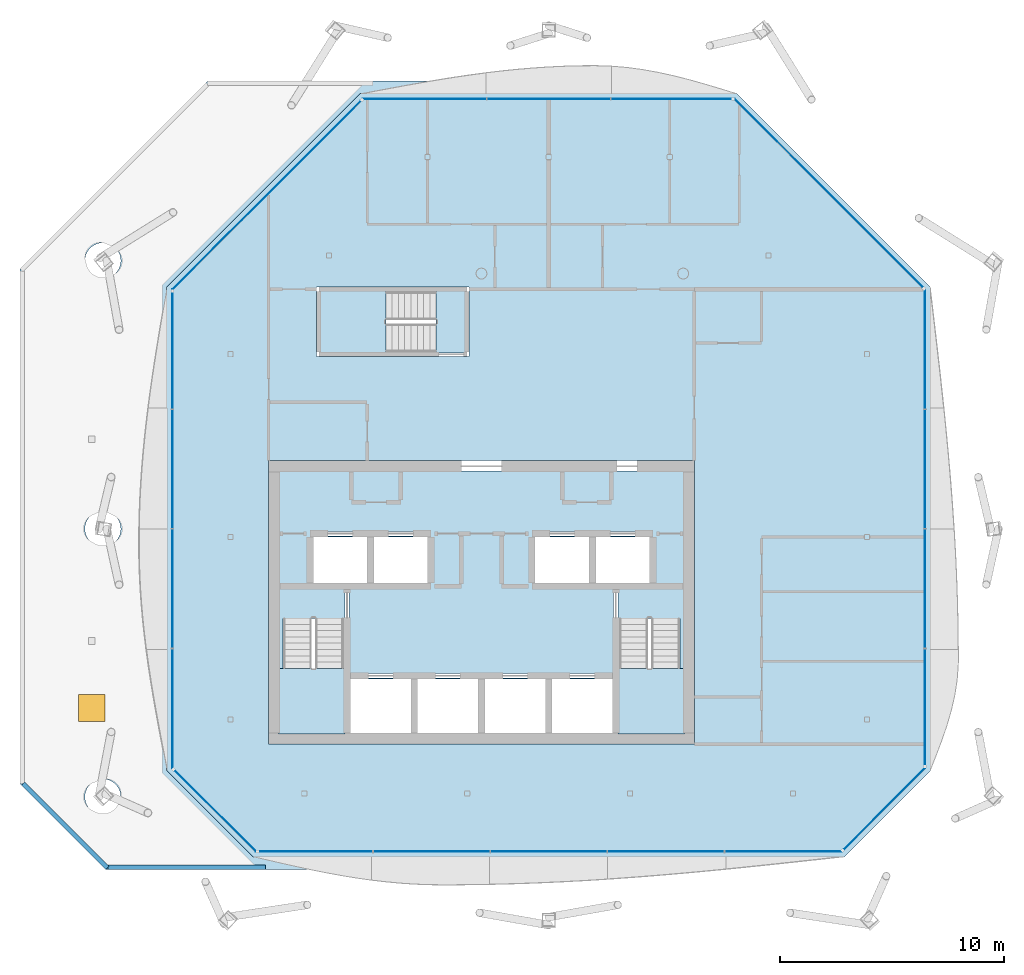
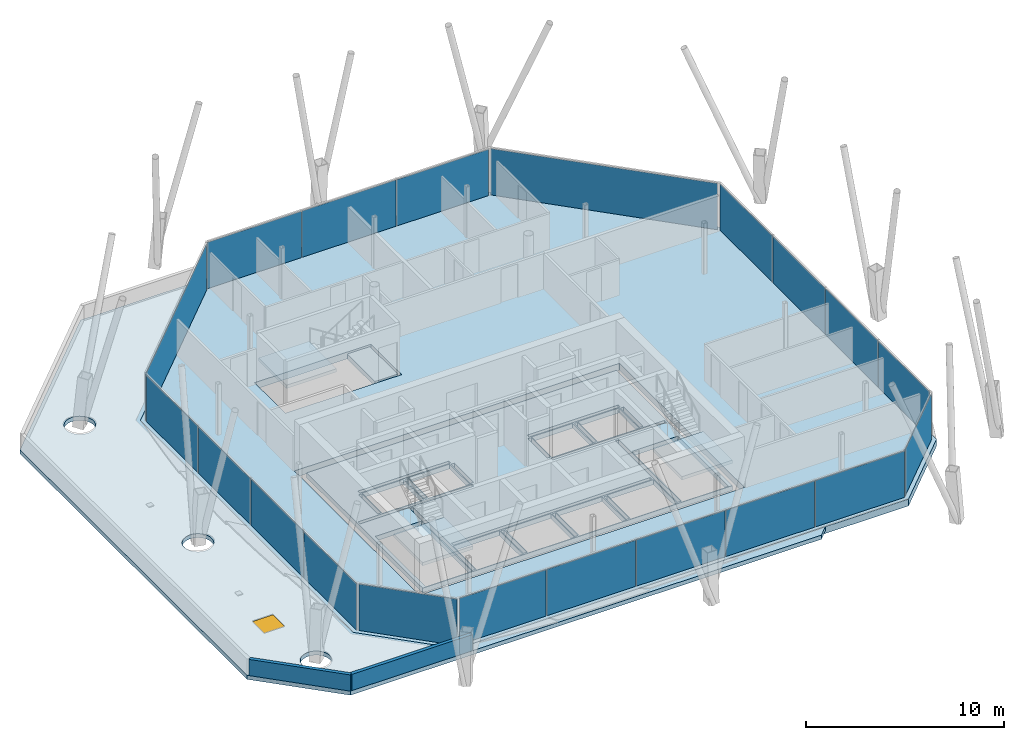
# One storey, part 9 of 17: 20 plates, 7 slabs, 2 walls, 1 window, 1 opening, 11 elements without a shape of their own.
"""IFC4 building model written with IfcOpenShell, lengths in metres."""

import ifcopenshell
import ifcopenshell.guid

model = None  # the IFC model being written
_history = None  # IfcOwnerHistory: only IFC2X3 demands one
_inside = {}  # id of a spatial element -> (the spatial element, [elements in it])
_under = {}  # id of a project, library or spatial element -> (it, [spatial elements below it])
_declared = {}  # id of a project -> (the project, [libraries it declares])
_typed = {}  # id of a type object -> (the type object, [elements of that type])
_made_of = {}  # id of a material, layer set ... -> (it, [elements and type objects made of it])


def new_model(schema):
    """Start an empty IFC model of exactly this schema.

    Asked for "IFC4X3", IfcOpenShell would pick the latest addendum, in which some entities
    have other attributes; the version numbers below select the first issue.
    IFC2X3 requires an IfcOwnerHistory on every rooted entity: one is made here for all.
    """
    global model, _history
    if schema == "IFC4X3":
        model = ifcopenshell.file(schema_version=(4, 3, 0, 0))
    else:
        model = ifcopenshell.file(schema=schema)
    _inside.clear()
    _under.clear()
    _declared.clear()
    _typed.clear()
    _made_of.clear()
    _history = None
    if model.schema == "IFC2X3":
        org = make("IfcOrganization", Name="unknown")
        user = make(
            "IfcPersonAndOrganization",
            ThePerson=make("IfcPerson", FamilyName="unknown"),
            TheOrganization=org,
        )
        app = make(
            "IfcApplication",
            ApplicationDeveloper=org,
            Version="unknown",
            ApplicationFullName="unknown",
            ApplicationIdentifier="unknown",
        )
        _history = make(
            "IfcOwnerHistory",
            OwningUser=user,
            OwningApplication=app,
            ChangeAction="ADDED",
            CreationDate=0,
        )
    return model


def make(cls, **values):
    """One entity of the class cls with the attributes given. An attribute that is None is left unset."""
    return model.create_entity(
        cls, **{name: value for name, value in values.items() if value is not None}
    )


def rooted(cls, **values):
    """An entity with a GlobalId (a new one), such as an element, a storey or a relation."""
    return make(cls, GlobalId=ifcopenshell.guid.new(), OwnerHistory=_history, **values)


def si_unit(unit_type, name, prefix=None):
    """IfcSIUnit, for example si_unit("LENGTHUNIT", "METRE", prefix="MILLI")."""
    return make("IfcSIUnit", UnitType=unit_type, Prefix=prefix, Name=name)


def assignment(units):
    """IfcUnitAssignment: the units of a project."""
    return None if units is None else make("IfcUnitAssignment", Units=units)


def point(xyz):
    """IfcCartesianPoint."""
    return None if xyz is None else make("IfcCartesianPoint", Coordinates=xyz)


def direction(xyz):
    """IfcDirection."""
    return None if xyz is None else make("IfcDirection", DirectionRatios=xyz)


def frame(location, z_axis=None, x_axis=None):
    """IfcAxis2Placement3D, a coordinate frame: its origin and axes. An axis left out is left unset."""
    return make(
        "IfcAxis2Placement3D",
        Location=point(location),
        Axis=direction(z_axis),
        RefDirection=direction(x_axis),
    )


def frame_2d(location, x_axis=None):
    """IfcAxis2Placement2D, a coordinate frame in the plane: its origin and x axis."""
    return make(
        "IfcAxis2Placement2D", Location=point(location), RefDirection=direction(x_axis)
    )


def origin():
    """The frame at (0, 0, 0) with its axes left unset."""
    return frame((0.0, 0.0, 0.0))


def origin_2d():
    """The frame at (0, 0) in the plane with its x axis left unset."""
    return frame_2d((0.0, 0.0))


def place(relative_to, where):
    """IfcLocalPlacement: puts the frame where relative to a parent placement (None: the world)."""
    return make(
        "IfcLocalPlacement", PlacementRelTo=relative_to, RelativePlacement=where
    )


def context(
    kind, dimensions, precision=None, world=None, true_north=None, identifier=None
):
    """IfcGeometricRepresentationContext, for example the 3D "Model" context."""
    return make(
        "IfcGeometricRepresentationContext",
        ContextIdentifier=identifier,
        ContextType=kind,
        CoordinateSpaceDimension=dimensions,
        Precision=precision,
        WorldCoordinateSystem=world,
        TrueNorth=true_north,
    )


def subcontext(parent, identifier, kind, view, scale=None):
    """IfcGeometricRepresentationSubContext, for example "Body" below "Model"."""
    return make(
        "IfcGeometricRepresentationSubContext",
        ContextIdentifier=identifier,
        ContextType=kind,
        ParentContext=parent,
        TargetScale=scale,
        TargetView=view,
    )


def project(units=None, contexts=None):
    """IfcProject with its units and contexts."""
    return rooted(
        "IfcProject",
        Name="project",
        RepresentationContexts=contexts,
        UnitsInContext=assignment(units),
    )


def spatial(cls, under=None, at=None, **own):
    """A site, building, storey or space (cls), placed at a placement, below another one or the project."""
    s = rooted(cls, ObjectPlacement=at, **own)
    if under is not None:
        _under.setdefault(under.id(), (under, []))[1].append(s)
    return s


def polyline(points):
    """IfcPolyline through the points."""
    return make("IfcPolyline", Points=[point(p) for p in points])


def profile(cls, at=None, kind="AREA", **sizes):
    """A parametric profile (cls). Its sizes go by their IFC names, for example OverallWidth=200.0."""
    return make(cls, ProfileType=kind, Position=at, **sizes)


def rectangle(**sizes):
    """IfcRectangleProfileDef."""
    return profile("IfcRectangleProfileDef", **sizes)


def outline(outer, holes=None, kind="AREA"):
    """IfcArbitraryClosedProfileDef: a profile drawn as a closed curve; with holes, ...WithVoids."""
    if holes is None:
        return make("IfcArbitraryClosedProfileDef", ProfileType=kind, OuterCurve=outer)
    return make(
        "IfcArbitraryProfileDefWithVoids",
        ProfileType=kind,
        OuterCurve=outer,
        InnerCurves=holes,
    )


def extrude(swept, where, along, depth):
    """IfcExtrudedAreaSolid: the profile swept, set in the frame where, extruded along a direction by depth."""
    return make(
        "IfcExtrudedAreaSolid",
        SweptArea=swept,
        Position=where,
        ExtrudedDirection=direction(along),
        Depth=depth,
    )


def shape(context_of_items, identifier, shape_type, items):
    """IfcShapeRepresentation: the items that make up one representation, for example the "Body"."""
    return make(
        "IfcShapeRepresentation",
        ContextOfItems=context_of_items,
        RepresentationIdentifier=identifier,
        RepresentationType=shape_type,
        Items=items,
    )


def material(Name=None, Category=None):
    """IfcMaterial."""
    return make("IfcMaterial", Name=Name, Category=Category)


def layer(
    of_material, thickness, ventilated=None, Name=None, Category=None, Priority=None
):
    """IfcMaterialLayer: one layer of a wall or slab, of a material (None: an air gap)."""
    return make(
        "IfcMaterialLayer",
        Material=of_material,
        LayerThickness=thickness,
        IsVentilated=ventilated,
        Name=Name,
        Category=Category,
        Priority=Priority,
    )


def layer_set(layers, Name=None):
    """IfcMaterialLayerSet."""
    return make("IfcMaterialLayerSet", MaterialLayers=layers, LayerSetName=Name)


def made_of(thing, what):
    """Note that an element or type object is made of a material, layer set ...; save() writes the relation."""
    if what is not None:
        _made_of.setdefault(what.id(), (what, []))[1].append(thing)
    return thing


def type_object(cls, material=None, **own):
    """A type object (cls), such as IfcWallType, which elements share."""
    return made_of(rooted(cls, **own), material)


def element(
    cls,
    number,
    at=None,
    inside=None,
    cuts=None,
    type_object=None,
    material=None,
    context=None,
    identifier="Body",
    shape_type=None,
    held_by="IfcProductDefinitionShape",
    body=None,
    shapes=None,
    **own,
):
    """One element of the class cls, such as IfcWall. Its Tag is "e" and its number.

    at: its placement. inside: the storey or other place that contains it. cuts: it is an
    opening in that element (IfcRelVoidsElement). A single representation is given by context,
    identifier, shape_type and body (its items); several are given by shapes. held_by: the class
    of the entity that holds the representations. save() writes the other relations.
    """
    e = rooted(cls, Tag="e%d" % number, ObjectPlacement=at, **own)
    if body is not None:
        shapes = [shape(context, identifier, shape_type, body)]
    if shapes is not None:
        e.Representation = make(held_by, Representations=shapes)
    if inside is not None:
        _inside.setdefault(inside.id(), (inside, []))[1].append(e)
    if cuts is not None:
        rooted(
            "IfcRelVoidsElement", RelatingBuildingElement=cuts, RelatedOpeningElement=e
        )
    if type_object is not None:
        _typed.setdefault(type_object.id(), (type_object, []))[1].append(e)
    return made_of(e, material)


def fill(opening, filler):
    """IfcRelFillsElement: the door or window that sits in an opening."""
    return rooted(
        "IfcRelFillsElement",
        RelatingOpeningElement=opening,
        RelatedBuildingElement=filler,
    )


def aggregate(whole, parts):
    """IfcRelAggregates: a whole, such as a stair, and the parts it consists of."""
    return rooted("IfcRelAggregates", RelatingObject=whole, RelatedObjects=parts)


def save(model, path):
    """Write the relations noted so far, then the file.

    IfcRelAggregates (storeys below a building ...), IfcRelContainedInSpatialStructure (elements
    in a storey), IfcRelDefinesByType, IfcRelAssociatesMaterial and IfcRelDeclares: one each for
    every whole, place, type object, material and project.
    """
    for whole, parts in _under.values():
        aggregate(whole, parts)
    for where, things in _inside.values():
        rooted(
            "IfcRelContainedInSpatialStructure",
            RelatedElements=things,
            RelatingStructure=where,
        )
    for kind, things in _typed.values():
        rooted("IfcRelDefinesByType", RelatedObjects=things, RelatingType=kind)
    for what, things in _made_of.values():
        rooted("IfcRelAssociatesMaterial", RelatedObjects=things, RelatingMaterial=what)
    for by, libraries in _declared.values():
        rooted("IfcRelDeclares", RelatingContext=by, RelatedDefinitions=libraries)
    model.write(path)


model = new_model("IFC4")

# Units and contexts
model_context = context("Model", 3, precision=1e-05, world=origin(), true_north=direction((0.0, 1.0)))
body_context = subcontext(model_context, "Body", "Model", "MODEL_VIEW")
ifc_project = project(units=[si_unit("LENGTHUNIT", "METRE"), si_unit("AREAUNIT", "SQUARE_METRE"), si_unit("VOLUMEUNIT", "CUBIC_METRE"), si_unit("PLANEANGLEUNIT", "RADIAN"), si_unit("MASSUNIT", "GRAM", prefix="KILO")], contexts=[model_context])

# Site, building, storey
site_placement = place(None, origin())
site = spatial("IfcSite", under=ifc_project, at=site_placement, CompositionType="ELEMENT")
building_placement = place(site_placement, origin())
building = spatial("IfcBuilding", under=site, at=building_placement, Name="Tskaro Facet Tower", CompositionType="ELEMENT")
storey_placement = place(building_placement, frame((0.0, 0.0, 259.5)))
storey = spatial("IfcBuildingStorey", under=building, at=storey_placement, Name="L68", CompositionType="ELEMENT", Elevation=259.5)

# Curtain wall, plates
ifc_material_1 = material(Name="Bronze anodised aluminium 6063-T6", Category="aluminium")
curtain_wall_type = type_object("IfcCurtainWallType", Name="Bronze residence curtain wall (FW3)", PredefinedType="NOTDEFINED", material=ifc_material_1)
curtain_wall_1_placement = place(storey_placement, origin())
curtain_wall_1 = element("IfcCurtainWall", 1, at=curtain_wall_1_placement, inside=storey, type_object=curtain_wall_type, Name="FW3 south facet L68", PredefinedType="NOTDEFINED")
ifc_material_2 = material(Name="Bronze low-iron glass", Category="glass")
ifc_layer_1 = layer(ifc_material_2, 0.028076171875, Name="Bronze low-iron glass")
ifc_layer_set_1 = layer_set([ifc_layer_1], Name="Bronze low-iron glass")
plate_type = type_object("IfcPlateType", Name="FW3 bronze-tinted unit glazing 28", PredefinedType="CURTAIN_PANEL", material=ifc_layer_set_1)
plate_1_placement = place(storey_placement, frame((-7.3984375, -16.79296875, 0.0), z_axis=(0.0, 0.0, 1.0), x_axis=(1.0, 0.0, 0.0)))
plate_1 = element("IfcPlate", 2, at=plate_1_placement, type_object=plate_type, Name="FW3 south glazing 1.1", PredefinedType="CURTAIN_PANEL", context=body_context, shape_type="SweptSolid", body=[
    extrude(rectangle(XDim=5.06298828125, YDim=0.028076171875, at=origin_2d()), origin(), (0.0, 0.0, 1.0), 2.860107421875),
])
plate_2_placement = place(storey_placement, frame((-2.22802734375, -16.79296875, 0.0), z_axis=(0.0, 0.0, 1.0), x_axis=(1.0, 0.0, 0.0)))
plate_2 = element("IfcPlate", 3, at=plate_2_placement, type_object=plate_type, Name="FW3 south glazing 2.1", PredefinedType="CURTAIN_PANEL", context=body_context, shape_type="SweptSolid", body=[
    extrude(rectangle(XDim=5.177978515625, YDim=0.028076171875, at=origin_2d()), origin(), (0.0, 0.0, 1.0), 2.860107421875),
])
plate_3_placement = place(storey_placement, frame((3.0, -16.79296875, 0.0), z_axis=(0.0, 0.0, 1.0), x_axis=(1.0, 0.0, 0.0)))
plate_3 = element("IfcPlate", 4, at=plate_3_placement, type_object=plate_type, Name="FW3 south glazing 3.1", PredefinedType="CURTAIN_PANEL", context=body_context, shape_type="SweptSolid", body=[
    extrude(rectangle(XDim=5.177978515625, YDim=0.028076171875, at=origin_2d()), origin(), (0.0, 0.0, 1.0), 2.860107421875),
])
plate_4_placement = place(storey_placement, frame((8.22802734375, -16.79296875, 0.0), z_axis=(0.0, 0.0, 1.0), x_axis=(1.0, 0.0, 0.0)))
plate_4 = element("IfcPlate", 5, at=plate_4_placement, type_object=plate_type, Name="FW3 south glazing 4.1", PredefinedType="CURTAIN_PANEL", context=body_context, shape_type="SweptSolid", body=[
    extrude(rectangle(XDim=5.177978515625, YDim=0.028076171875, at=origin_2d()), origin(), (0.0, 0.0, 1.0), 2.860107421875),
])
plate_5_placement = place(storey_placement, frame((13.468505859375, -16.79296875, 0.0), z_axis=(0.0, 0.0, 1.0), x_axis=(1.0, 0.0, 0.0)))
plate_5 = element("IfcPlate", 6, at=plate_5_placement, type_object=plate_type, Name="FW3 south glazing 5.1", PredefinedType="CURTAIN_PANEL", context=body_context, shape_type="SweptSolid", body=[
    extrude(rectangle(XDim=5.202880859375, YDim=0.028076171875, at=origin_2d()), origin(), (0.0, 0.0, 1.0), 2.860107421875),
])
aggregate(curtain_wall_1, [plate_1, plate_2, plate_3, plate_4, plate_5])

# Curtain wall, plate
curtain_wall_2_placement = place(storey_placement, origin())
curtain_wall_2 = element("IfcCurtainWall", 7, at=curtain_wall_2_placement, inside=storey, type_object=curtain_wall_type, Name="FW3 south-east facet L68", PredefinedType="NOTDEFINED")
plate_6_placement = place(storey_placement, frame((17.98095703125, -14.882080078125, 0.0), z_axis=(0.0, 0.0, 1.0), x_axis=(0.707106781187, 0.707106781187, 0.0)))
plate_6 = element("IfcPlate", 8, at=plate_6_placement, type_object=plate_type, Name="FW3 south-east glazing 1.1", PredefinedType="CURTAIN_PANEL", context=body_context, shape_type="SweptSolid", body=[
    extrude(rectangle(XDim=5.125, YDim=0.028076171875, at=origin_2d()), origin(), (0.0, 0.0, 1.0), 2.860107421875),
])
aggregate(curtain_wall_2, [plate_6])

# Curtain wall, plates
curtain_wall_3_placement = place(storey_placement, origin())
curtain_wall_3 = element("IfcCurtainWall", 9, at=curtain_wall_3_placement, inside=storey, type_object=curtain_wall_type, Name="FW3 east facet L68", PredefinedType="NOTDEFINED")
plate_7_placement = place(storey_placement, frame((19.79296875, -10.3427734375, 0.0), z_axis=(0.0, 0.0, 1.0), x_axis=(0.0, 1.0, 0.0)))
plate_7 = element("IfcPlate", 10, at=plate_7_placement, type_object=plate_type, Name="FW3 east glazing 1.1", PredefinedType="CURTAIN_PANEL", context=body_context, shape_type="SweptSolid", body=[
    extrude(rectangle(XDim=5.17431640625, YDim=0.028076171875, at=origin_2d()), origin(), (0.0, 0.0, 1.0), 2.860107421875),
])
plate_8_placement = place(storey_placement, frame((19.79296875, -5.06103515625, 0.0), z_axis=(0.0, 0.0, 1.0), x_axis=(0.0, 1.0, 0.0)))
plate_8 = element("IfcPlate", 11, at=plate_8_placement, type_object=plate_type, Name="FW3 east glazing 2.1", PredefinedType="CURTAIN_PANEL", context=body_context, shape_type="SweptSolid", body=[
    extrude(rectangle(XDim=5.289306640625, YDim=0.028076171875, at=origin_2d()), origin(), (0.0, 0.0, 1.0), 2.860107421875),
])
plate_9_placement = place(storey_placement, frame((19.79296875, 0.278076171875, 0.0), z_axis=(0.0, 0.0, 1.0), x_axis=(0.0, 1.0, 0.0)))
plate_9 = element("IfcPlate", 12, at=plate_9_placement, type_object=plate_type, Name="FW3 east glazing 3.1", PredefinedType="CURTAIN_PANEL", context=body_context, shape_type="SweptSolid", body=[
    extrude(rectangle(XDim=5.289306640625, YDim=0.028076171875, at=origin_2d()), origin(), (0.0, 0.0, 1.0), 2.860107421875),
])
plate_10_placement = place(storey_placement, frame((19.79296875, 5.6298828125, 0.0), z_axis=(0.0, 0.0, 1.0), x_axis=(0.0, 1.0, 0.0)))
plate_10 = element("IfcPlate", 13, at=plate_10_placement, type_object=plate_type, Name="FW3 east glazing 4.1", PredefinedType="CURTAIN_PANEL", context=body_context, shape_type="SweptSolid", body=[
    extrude(rectangle(XDim=5.314208984375, YDim=0.028076171875, at=origin_2d()), origin(), (0.0, 0.0, 1.0), 2.860107421875),
])
aggregate(curtain_wall_3, [plate_7, plate_8, plate_9, plate_10])

# Curtain wall, plate
curtain_wall_4_placement = place(storey_placement, origin())
curtain_wall_4 = element("IfcCurtainWall", 14, at=curtain_wall_4_placement, inside=storey, type_object=curtain_wall_type, Name="FW3 north-east facet L68", PredefinedType="NOTDEFINED")
plate_11_placement = place(storey_placement, frame((15.490478515625, 12.589599609375, 0.0), z_axis=(0.0, 0.0, 1.0), x_axis=(-0.707106781187, 0.707106781187, 0.0)))
plate_11 = element("IfcPlate", 15, at=plate_11_placement, type_object=plate_type, Name="FW3 north-east glazing 1.1", PredefinedType="CURTAIN_PANEL", context=body_context, shape_type="SweptSolid", body=[
    extrude(rectangle(XDim=11.889404296875, YDim=0.028076171875, at=origin_2d()), origin(), (0.0, 0.0, 1.0), 2.860107421875),
])
aggregate(curtain_wall_4, [plate_11])

# Curtain wall, plates
curtain_wall_5_placement = place(storey_placement, origin())
curtain_wall_5 = element("IfcCurtainWall", 16, at=curtain_wall_5_placement, inside=storey, type_object=curtain_wall_type, Name="FW3 north facet L68", PredefinedType="NOTDEFINED")
plate_12_placement = place(storey_placement, frame((8.46728515625, 16.79296875, 0.0), z_axis=(0.0, 0.0, 1.0), x_axis=(-1.0, 0.0, 0.0)))
plate_12 = element("IfcPlate", 17, at=plate_12_placement, type_object=plate_type, Name="FW3 north glazing 1.1", PredefinedType="CURTAIN_PANEL", context=body_context, shape_type="SweptSolid", body=[
    extrude(rectangle(XDim=5.359619140625, YDim=0.028076171875, at=origin_2d()), origin(), (0.0, 0.0, 1.0), 2.860107421875),
])
plate_13_placement = place(storey_placement, frame((3.0, 16.79296875, 0.0), z_axis=(0.0, 0.0, 1.0), x_axis=(-1.0, 0.0, 0.0)))
plate_13 = element("IfcPlate", 18, at=plate_13_placement, type_object=plate_type, Name="FW3 north glazing 2.1", PredefinedType="CURTAIN_PANEL", context=body_context, shape_type="SweptSolid", body=[
    extrude(rectangle(XDim=5.474609375, YDim=0.028076171875, at=origin_2d()), origin(), (0.0, 0.0, 1.0), 2.860107421875),
])
plate_14_placement = place(storey_placement, frame((-2.537109375, 16.79296875, 0.0), z_axis=(0.0, 0.0, 1.0), x_axis=(-1.0, 0.0, 0.0)))
plate_14 = element("IfcPlate", 19, at=plate_14_placement, type_object=plate_type, Name="FW3 north glazing 3.1", PredefinedType="CURTAIN_PANEL", context=body_context, shape_type="SweptSolid", body=[
    extrude(rectangle(XDim=5.499755859375, YDim=0.028076171875, at=origin_2d()), origin(), (0.0, 0.0, 1.0), 2.860107421875),
])
aggregate(curtain_wall_5, [plate_12, plate_13, plate_14])

# Curtain wall, plate
curtain_wall_6_placement = place(storey_placement, origin())
curtain_wall_6 = element("IfcCurtainWall", 20, at=curtain_wall_6_placement, inside=storey, type_object=curtain_wall_type, Name="FW3 north-west facet L68", PredefinedType="NOTDEFINED")
plate_15_placement = place(storey_placement, frame((-9.589599609375, 12.490478515625, 0.0), z_axis=(0.0, 0.0, 1.0), x_axis=(-0.707106781187, -0.707106781187, 0.0)))
plate_15 = element("IfcPlate", 21, at=plate_15_placement, type_object=plate_type, Name="FW3 north-west glazing 1.1", PredefinedType="CURTAIN_PANEL", context=body_context, shape_type="SweptSolid", body=[
    extrude(rectangle(XDim=11.889404296875, YDim=0.028076171875, at=origin_2d()), origin(), (0.0, 0.0, 1.0), 2.860107421875),
])
aggregate(curtain_wall_6, [plate_15])

# Curtain wall, plates
curtain_wall_7_placement = place(storey_placement, origin())
curtain_wall_7 = element("IfcCurtainWall", 22, at=curtain_wall_7_placement, inside=storey, type_object=curtain_wall_type, Name="FW3 west facet L68", PredefinedType="NOTDEFINED")
plate_16_placement = place(storey_placement, frame((-13.79296875, 5.559814453125, 0.0), z_axis=(0.0, 0.0, 1.0), x_axis=(0.0, -1.0, 0.0)))
plate_16 = element("IfcPlate", 23, at=plate_16_placement, type_object=plate_type, Name="FW3 west glazing 1.1", PredefinedType="CURTAIN_PANEL", context=body_context, shape_type="SweptSolid", body=[
    extrude(rectangle(XDim=5.17431640625, YDim=0.028076171875, at=origin_2d()), origin(), (0.0, 0.0, 1.0), 2.860107421875),
])
plate_17_placement = place(storey_placement, frame((-13.79296875, 0.278076171875, 0.0), z_axis=(0.0, 0.0, 1.0), x_axis=(0.0, -1.0, 0.0)))
plate_17 = element("IfcPlate", 24, at=plate_17_placement, type_object=plate_type, Name="FW3 west glazing 2.1", PredefinedType="CURTAIN_PANEL", context=body_context, shape_type="SweptSolid", body=[
    extrude(rectangle(XDim=5.289306640625, YDim=0.028076171875, at=origin_2d()), origin(), (0.0, 0.0, 1.0), 2.860107421875),
])
plate_18_placement = place(storey_placement, frame((-13.79296875, -5.06103515625, 0.0), z_axis=(0.0, 0.0, 1.0), x_axis=(0.0, -1.0, 0.0)))
plate_18 = element("IfcPlate", 25, at=plate_18_placement, type_object=plate_type, Name="FW3 west glazing 3.1", PredefinedType="CURTAIN_PANEL", context=body_context, shape_type="SweptSolid", body=[
    extrude(rectangle(XDim=5.289306640625, YDim=0.028076171875, at=origin_2d()), origin(), (0.0, 0.0, 1.0), 2.860107421875),
])
plate_19_placement = place(storey_placement, frame((-13.79296875, -10.412841796875, 0.0), z_axis=(0.0, 0.0, 1.0), x_axis=(0.0, -1.0, 0.0)))
plate_19 = element("IfcPlate", 26, at=plate_19_placement, type_object=plate_type, Name="FW3 west glazing 4.1", PredefinedType="CURTAIN_PANEL", context=body_context, shape_type="SweptSolid", body=[
    extrude(rectangle(XDim=5.314208984375, YDim=0.028076171875, at=origin_2d()), origin(), (0.0, 0.0, 1.0), 2.860107421875),
])
aggregate(curtain_wall_7, [plate_16, plate_17, plate_18, plate_19])

# Curtain wall, plate
curtain_wall_8_placement = place(storey_placement, origin())
curtain_wall_8 = element("IfcCurtainWall", 27, at=curtain_wall_8_placement, inside=storey, type_object=curtain_wall_type, Name="FW3 south-west facet L68", PredefinedType="NOTDEFINED")
plate_20_placement = place(storey_placement, frame((-11.882080078125, -14.98095703125, 0.0), z_axis=(0.0, 0.0, 1.0), x_axis=(0.707106781187, -0.707106781187, 0.0)))
plate_20 = element("IfcPlate", 28, at=plate_20_placement, type_object=plate_type, Name="FW3 south-west glazing 1.1", PredefinedType="CURTAIN_PANEL", context=body_context, shape_type="SweptSolid", body=[
    extrude(rectangle(XDim=5.125, YDim=0.028076171875, at=origin_2d()), origin(), (0.0, 0.0, 1.0), 2.860107421875),
])
aggregate(curtain_wall_8, [plate_20])

# Stair, slab
ifc_material_3 = material(Name="Concrete C40/50", Category="concrete")
stair_type = type_object("IfcStairType", Name="ST-TWR", PredefinedType="HALF_TURN_STAIR", material=ifc_material_3)
stair_1_placement = place(storey_placement, origin())
stair_1 = element("IfcStair", 29, at=stair_1_placement, inside=storey, type_object=stair_type, Name="L68 Exit stair 1", PredefinedType="HALF_TURN_STAIR")
ifc_layer_2 = layer(ifc_material_3, 0.199951171875, Name="Concrete C40/50")
ifc_layer_set_2 = layer_set([ifc_layer_2], Name="Concrete C40/50")
slab_type_1 = type_object("IfcSlabType", Name="SL-LANDING", PredefinedType="LANDING", material=ifc_layer_set_2)
slab_1_placement = place(storey_placement, frame((0.0, 0.0, 1.375)))
slab_1 = element("IfcSlab", 30, at=slab_1_placement, type_object=slab_type_1, Name="ST-1 landing 1", PredefinedType="LANDING", context=body_context, shape_type="SweptSolid", body=[
    extrude(outline(polyline([(-9.050048828125, -11.550048828125), (-6.10009765625, -11.550048828125), (-6.10009765625, -8.614990234375), (-9.050048828125, -8.614990234375), (-9.050048828125, -11.550048828125)])), origin(), (0.0, 0.0, 1.0), 0.199951171875),
])
aggregate(stair_1, [slab_1])

stair_2_placement = place(storey_placement, origin())
stair_2 = element("IfcStair", 31, at=stair_2_placement, inside=storey, type_object=stair_type, Name="L68 Exit stair 2", PredefinedType="HALF_TURN_STAIR")
slab_2_placement = place(storey_placement, frame((0.0, 0.0, 1.375)))
slab_2 = element("IfcSlab", 32, at=slab_2_placement, type_object=slab_type_1, Name="ST-2 landing 1", PredefinedType="LANDING", context=body_context, shape_type="SweptSolid", body=[
    extrude(outline(polyline([(6.10009765625, -11.550048828125), (9.050048828125, -11.550048828125), (9.050048828125, -8.614990234375), (6.10009765625, -8.614990234375), (6.10009765625, -11.550048828125)])), origin(), (0.0, 0.0, 1.0), 0.199951171875),
])
aggregate(stair_2, [slab_2])

stair_3_placement = place(storey_placement, origin())
stair_3 = element("IfcStair", 33, at=stair_3_placement, inside=storey, type_object=stair_type, Name="L68 Exit stair 3", PredefinedType="HALF_TURN_STAIR")
slab_3_placement = place(storey_placement, frame((0.0, 0.0, 1.375)))
slab_3 = element("IfcSlab", 34, at=slab_3_placement, type_object=slab_type_1, Name="ST-3 landing 1", PredefinedType="LANDING", context=body_context, shape_type="SweptSolid", body=[
    extrude(outline(polyline([(-7.199951171875, 5.449951171875), (-4.264892578125, 5.449951171875), (-4.264892578125, 8.25), (-7.199951171875, 8.25), (-7.199951171875, 5.449951171875)])), origin(), (0.0, 0.0, 1.0), 0.199951171875),
])
aggregate(stair_3, [slab_3])

# Slabs
ifc_material_4 = material(Name="Concrete C60/75", Category="concrete")
ifc_layer_3 = layer(ifc_material_4, 0.300048828125, Name="Concrete C60/75")
ifc_layer_set_3 = layer_set([ifc_layer_3], Name="Concrete C60/75")
slab_type_2 = type_object("IfcSlabType", Name="SLAB-CORE", PredefinedType="FLOOR", material=ifc_layer_set_3)
slab_4_placement = place(storey_placement, frame((0.0, 0.0, -0.300048828125)))
element("IfcSlab", 35, at=slab_4_placement, inside=storey, type_object=slab_type_2, Name="Core floor slab 1", PredefinedType="FLOOR", context=body_context, shape_type="SweptSolid", body=[
    extrude(outline(polyline([(-9.050048828125, 0.199951171875), (9.050048828125, 0.199951171875), (9.050048828125, 0.10009765625), (9.050048828125, -11.449951171875), (9.050048828125, -11.550048828125), (-9.050048828125, -11.550048828125), (-9.050048828125, -11.449951171875), (-9.050048828125, 0.10009765625), (-9.050048828125, 0.199951171875)]), holes=[polyline([(-5.85009765625, -9.10009765625), (-5.85009765625, -11.5), (-3.14990234375, -11.5), (-3.14990234375, -9.10009765625), (-5.85009765625, -9.10009765625)]), polyline([(-3.10009765625, -11.449951171875), (-2.89990234375, -11.449951171875), (-2.89990234375, -9.14990234375), (-3.10009765625, -9.14990234375), (-3.10009765625, -11.449951171875)]), polyline([(-2.85009765625, -9.10009765625), (-2.85009765625, -11.5), (-0.14990234375, -11.5), (-0.14990234375, -9.10009765625), (-2.85009765625, -9.10009765625)]), polyline([(-6.10009765625, -11.449951171875), (-5.89990234375, -11.449951171875), (-5.89990234375, -5.14990234375), (-6.10009765625, -5.14990234375), (-6.10009765625, -11.449951171875)]), polyline([(-8.949951171875, -5.050048828125), (-2.300048828125, -5.050048828125), (-2.300048828125, -4.85009765625), (-8.949951171875, -4.85009765625), (-8.949951171875, -5.050048828125)]), polyline([(-7.75, -4.75), (-7.550048828125, -4.75), (-7.550048828125, -2.800048828125), (-7.75, -2.800048828125), (-7.75, -4.75)]), polyline([(-5.10009765625, -2.75), (-7.5, -2.75), (-7.5, -4.800048828125), (-5.10009765625, -4.800048828125), (-5.10009765625, -2.75)]), polyline([(-5.050048828125, -4.75), (-4.85009765625, -4.75), (-4.85009765625, -2.800048828125), (-5.050048828125, -2.800048828125), (-5.050048828125, -4.75)]), polyline([(-2.39990234375, -2.75), (-4.800048828125, -2.75), (-4.800048828125, -4.800048828125), (-2.39990234375, -4.800048828125), (-2.39990234375, -2.75)]), polyline([(-2.35009765625, -4.75), (-2.14990234375, -4.75), (-2.14990234375, -2.800048828125), (-2.35009765625, -2.800048828125), (-2.35009765625, -4.75)]), polyline([(-7.60009765625, -2.699951171875), (-2.300048828125, -2.699951171875), (-2.300048828125, -2.5), (-7.60009765625, -2.5), (-7.60009765625, -2.699951171875)]), polyline([(-0.10009765625, -11.449951171875), (0.10009765625, -11.449951171875), (0.10009765625, -9.14990234375), (-0.10009765625, -9.14990234375), (-0.10009765625, -11.449951171875)]), polyline([(0.14990234375, -9.10009765625), (0.14990234375, -11.5), (2.85009765625, -11.5), (2.85009765625, -9.10009765625), (0.14990234375, -9.10009765625)]), polyline([(2.89990234375, -11.449951171875), (3.10009765625, -11.449951171875), (3.10009765625, -9.14990234375), (2.89990234375, -9.14990234375), (2.89990234375, -11.449951171875)]), polyline([(3.14990234375, -9.10009765625), (3.14990234375, -11.5), (5.85009765625, -11.5), (5.85009765625, -9.10009765625), (3.14990234375, -9.10009765625)]), polyline([(-5.800048828125, -9.050048828125), (5.800048828125, -9.050048828125), (5.800048828125, -8.85009765625), (-5.800048828125, -8.85009765625), (-5.800048828125, -9.050048828125)]), polyline([(5.89990234375, -11.449951171875), (6.10009765625, -11.449951171875), (6.10009765625, -5.14990234375), (5.89990234375, -5.14990234375), (5.89990234375, -11.449951171875)]), polyline([(2.300048828125, -5.050048828125), (8.949951171875, -5.050048828125), (8.949951171875, -4.85009765625), (2.300048828125, -4.85009765625), (2.300048828125, -5.050048828125)]), polyline([(2.14990234375, -4.75), (2.35009765625, -4.75), (2.35009765625, -2.800048828125), (2.14990234375, -2.800048828125), (2.14990234375, -4.75)]), polyline([(4.800048828125, -2.75), (2.39990234375, -2.75), (2.39990234375, -4.800048828125), (4.800048828125, -4.800048828125), (4.800048828125, -2.75)]), polyline([(4.85009765625, -4.75), (5.050048828125, -4.75), (5.050048828125, -2.800048828125), (4.85009765625, -2.800048828125), (4.85009765625, -4.75)]), polyline([(7.5, -2.75), (5.10009765625, -2.75), (5.10009765625, -4.800048828125), (7.5, -4.800048828125), (7.5, -2.75)]), polyline([(7.550048828125, -4.75), (7.75, -4.75), (7.75, -2.800048828125), (7.550048828125, -2.800048828125), (7.550048828125, -4.75)]), polyline([(2.300048828125, -2.699951171875), (7.60009765625, -2.699951171875), (7.60009765625, -2.5), (2.300048828125, -2.5), (2.300048828125, -2.699951171875)]), polyline([(-8.85009765625, -11.5), (-6.14990234375, -11.5), (-6.14990234375, -6.39501953125), (-8.85009765625, -6.39501953125), (-8.85009765625, -11.5)]), polyline([(6.14990234375, -6.39501953125), (6.14990234375, -11.5), (8.85009765625, -11.5), (8.85009765625, -6.39501953125), (6.14990234375, -6.39501953125)])]), origin(), (0.0, 0.0, 1.0), 0.300048828125),
])
slab_5_placement = place(storey_placement, frame((0.0, 0.0, -0.300048828125)))
element("IfcSlab", 36, at=slab_5_placement, inside=storey, type_object=slab_type_2, Name="Stair 3 floor landing 1", PredefinedType="FLOOR", context=body_context, shape_type="SweptSolid", body=[
    extrude(outline(polyline([(-2.02490234375, 5.449951171875), (-0.699951171875, 5.449951171875), (-0.699951171875, 8.25), (-2.02490234375, 8.25), (-2.02490234375, 5.449951171875)])), origin(), (0.0, 0.0, 1.0), 0.300048828125),
])
ifc_layer_4 = layer(ifc_material_3, 0.419921875, Name="Concrete C40/50")
ifc_layer_set_4 = layer_set([ifc_layer_4], Name="Concrete C40/50")
slab_type_3 = type_object("IfcSlabType", Name="Transfer floor slab", PredefinedType="FLOOR", material=ifc_layer_set_4)
slab_6_placement = place(storey_placement, frame((0.0, 0.0, -0.419921875)))
element("IfcSlab", 37, at=slab_6_placement, inside=storey, type_object=slab_type_3, Name="Floor slab FS7 L68", PredefinedType="FLOOR", context=body_context, shape_type="SweptSolid", body=[
    extrude(outline(polyline([(-10.174072265625, -17.04296875), (16.174072265625, -17.04296875), (20.04296875, -13.174072265625), (20.04296875, 8.39111328125), (11.39111328125, 17.04296875), (-5.39111328125, 17.04296875), (-14.04296875, 8.39111328125), (-14.04296875, -13.174072265625), (-10.174072265625, -17.04296875)]), holes=[polyline([(-9.5, -12.0), (9.5, -12.0), (9.5, 0.64990234375), (-9.5, 0.64990234375), (-9.5, -12.0)]), polyline([(-7.35009765625, 5.300048828125), (-0.550048828125, 5.300048828125), (-0.550048828125, 8.39990234375), (-7.35009765625, 8.39990234375), (-7.35009765625, 5.300048828125)])]), origin(), (0.0, 0.0, 1.0), 0.419921875),
])

# Slab, opening, window
ifc_material_5 = material(Name="Concrete C35/45", Category="concrete")
ifc_layer_5 = layer(ifc_material_5, 0.25, Name="Concrete C35/45")
ifc_layer_set_5 = layer_set([ifc_layer_5], Name="Concrete C35/45")
slab_type_4 = type_object("IfcSlabType", Name="Transition roof slab", PredefinedType="ROOF", material=ifc_layer_set_5)
slab_7_placement = place(storey_placement, frame((0.0, 0.0, -0.25)))
slab_7 = element("IfcSlab", 38, at=slab_7_placement, inside=storey, type_object=slab_type_4, Name="Roof slab FS6 L67", PredefinedType="ROOF", context=body_context, shape_type="SweptSolid", body=[
    extrude(outline(polyline([(-16.764892578125, -17.591064453125), (-20.591064453125, -13.764892578125), (-20.591064453125, 9.221923828125), (-12.221923828125, 17.591064453125), (6.221923828125, 17.591064453125), (6.77001953125, 17.04296875), (-5.39111328125, 17.04296875), (-14.04296875, 8.39111328125), (-14.04296875, -13.174072265625), (-10.174072265625, -17.04296875), (11.31298828125, -17.04296875), (10.764892578125, -17.591064453125), (-16.764892578125, -17.591064453125)]), holes=[polyline([(-16.126953125, -14.5869140625), (-16.10791015625, -14.510986328125), (-16.096923828125, -14.43310546875), (-16.093017578125, -14.35498046875), (-16.096923828125, -14.277099609375), (-16.10791015625, -14.198974609375), (-16.126953125, -14.123046875), (-16.154052734375, -14.049072265625), (-16.18701171875, -13.97802734375), (-16.22802734375, -13.910888671875), (-16.27490234375, -13.846923828125), (-16.326904296875, -13.7890625), (-16.385009765625, -13.737060546875), (-16.448974609375, -13.68994140625), (-16.51611328125, -13.64892578125), (-16.5869140625, -13.615966796875), (-16.660888671875, -13.589111328125), (-16.737060546875, -13.570068359375), (-16.81494140625, -13.55908203125), (-16.89306640625, -13.554931640625), (-16.970947265625, -13.55908203125), (-17.049072265625, -13.570068359375), (-17.125, -13.589111328125), (-17.198974609375, -13.615966796875), (-17.27001953125, -13.64892578125), (-17.3369140625, -13.68994140625), (-17.40087890625, -13.737060546875), (-17.458984375, -13.7890625), (-17.510986328125, -13.846923828125), (-17.55810546875, -13.910888671875), (-17.59912109375, -13.97802734375), (-17.632080078125, -14.049072265625), (-17.658935546875, -14.123046875), (-17.677978515625, -14.198974609375), (-17.68896484375, -14.277099609375), (-17.693115234375, -14.35498046875), (-17.68896484375, -14.43310546875), (-17.677978515625, -14.510986328125), (-17.658935546875, -14.5869140625), (-17.632080078125, -14.660888671875), (-17.59912109375, -14.73193359375), (-17.55810546875, -14.799072265625), (-17.510986328125, -14.863037109375), (-17.458984375, -14.9208984375), (-17.40087890625, -14.972900390625), (-17.3369140625, -15.02001953125), (-17.27001953125, -15.06103515625), (-17.198974609375, -15.093994140625), (-17.125, -15.12109375), (-17.049072265625, -15.139892578125), (-16.970947265625, -15.15087890625), (-16.89306640625, -15.155029296875), (-16.81494140625, -15.15087890625), (-16.737060546875, -15.139892578125), (-16.660888671875, -15.12109375), (-16.5869140625, -15.093994140625), (-16.51611328125, -15.06103515625), (-16.448974609375, -15.02001953125), (-16.385009765625, -14.972900390625), (-16.326904296875, -14.9208984375), (-16.27490234375, -14.863037109375), (-16.22802734375, -14.799072265625), (-16.18701171875, -14.73193359375), (-16.154052734375, -14.660888671875), (-16.126953125, -14.5869140625)]), polyline([(-16.10791015625, -2.548095703125), (-16.096923828125, -2.469970703125), (-16.093017578125, -2.39208984375), (-16.096923828125, -2.31396484375), (-16.10791015625, -2.236083984375), (-16.126953125, -2.159912109375), (-16.154052734375, -2.0859375), (-16.18701171875, -2.014892578125), (-16.22802734375, -1.947998046875), (-16.27490234375, -1.884033203125), (-16.326904296875, -1.825927734375), (-16.385009765625, -1.77392578125), (-16.448974609375, -1.72705078125), (-16.51611328125, -1.68603515625), (-16.5869140625, -1.653076171875), (-16.660888671875, -1.6259765625), (-16.737060546875, -1.60693359375), (-16.81494140625, -1.595947265625), (-16.89306640625, -1.592041015625), (-16.970947265625, -1.595947265625), (-17.049072265625, -1.60693359375), (-17.125, -1.6259765625), (-17.198974609375, -1.653076171875), (-17.27001953125, -1.68603515625), (-17.3369140625, -1.72705078125), (-17.40087890625, -1.77392578125), (-17.458984375, -1.825927734375), (-17.510986328125, -1.884033203125), (-17.55810546875, -1.947998046875), (-17.59912109375, -2.014892578125), (-17.632080078125, -2.0859375), (-17.658935546875, -2.159912109375), (-17.677978515625, -2.236083984375), (-17.68896484375, -2.31396484375), (-17.693115234375, -2.39208984375), (-17.68896484375, -2.469970703125), (-17.677978515625, -2.548095703125), (-17.658935546875, -2.6240234375), (-17.632080078125, -2.697998046875), (-17.59912109375, -2.76904296875), (-17.55810546875, -2.8359375), (-17.510986328125, -2.89990234375), (-17.458984375, -2.9580078125), (-17.40087890625, -3.010009765625), (-17.3369140625, -3.056884765625), (-17.27001953125, -3.097900390625), (-17.198974609375, -3.131103515625), (-17.125, -3.157958984375), (-17.049072265625, -3.177001953125), (-16.970947265625, -3.18798828125), (-16.89306640625, -3.19189453125), (-16.81494140625, -3.18798828125), (-16.737060546875, -3.177001953125), (-16.660888671875, -3.157958984375), (-16.5869140625, -3.131103515625), (-16.51611328125, -3.097900390625), (-16.448974609375, -3.056884765625), (-16.385009765625, -3.010009765625), (-16.326904296875, -2.9580078125), (-16.27490234375, -2.89990234375), (-16.22802734375, -2.8359375), (-16.18701171875, -2.76904296875), (-16.154052734375, -2.697998046875), (-16.126953125, -2.6240234375), (-16.10791015625, -2.548095703125)]), polyline([(-16.126953125, 9.340087890625), (-16.10791015625, 9.416015625), (-16.096923828125, 9.493896484375), (-16.093017578125, 9.572021484375), (-16.096923828125, 9.64990234375), (-16.10791015625, 9.72802734375), (-16.126953125, 9.803955078125), (-16.154052734375, 9.8779296875), (-16.18701171875, 9.948974609375), (-16.22802734375, 10.01611328125), (-16.27490234375, 10.080078125), (-16.326904296875, 10.137939453125), (-16.385009765625, 10.18994140625), (-16.448974609375, 10.237060546875), (-16.51611328125, 10.278076171875), (-16.5869140625, 10.31103515625), (-16.660888671875, 10.337890625), (-16.737060546875, 10.35693359375), (-16.81494140625, 10.367919921875), (-16.89306640625, 10.3720703125), (-16.970947265625, 10.367919921875), (-17.049072265625, 10.35693359375), (-17.125, 10.337890625), (-17.198974609375, 10.31103515625), (-17.27001953125, 10.278076171875), (-17.3369140625, 10.237060546875), (-17.40087890625, 10.18994140625), (-17.458984375, 10.137939453125), (-17.510986328125, 10.080078125), (-17.55810546875, 10.01611328125), (-17.59912109375, 9.948974609375), (-17.632080078125, 9.8779296875), (-17.658935546875, 9.803955078125), (-17.677978515625, 9.72802734375), (-17.68896484375, 9.64990234375), (-17.693115234375, 9.572021484375), (-17.68896484375, 9.493896484375), (-17.677978515625, 9.416015625), (-17.658935546875, 9.340087890625), (-17.632080078125, 9.26611328125), (-17.59912109375, 9.195068359375), (-17.55810546875, 9.1279296875), (-17.510986328125, 9.06396484375), (-17.458984375, 9.006103515625), (-17.40087890625, 8.9541015625), (-17.3369140625, 8.906982421875), (-17.27001953125, 8.865966796875), (-17.198974609375, 8.8330078125), (-17.125, 8.805908203125), (-17.049072265625, 8.787109375), (-16.970947265625, 8.77587890625), (-16.89306640625, 8.77197265625), (-16.81494140625, 8.77587890625), (-16.737060546875, 8.787109375), (-16.660888671875, 8.805908203125), (-16.5869140625, 8.8330078125), (-16.51611328125, 8.865966796875), (-16.448974609375, 8.906982421875), (-16.385009765625, 8.9541015625), (-16.326904296875, 9.006103515625), (-16.27490234375, 9.06396484375), (-16.22802734375, 9.1279296875), (-16.18701171875, 9.195068359375), (-16.154052734375, 9.26611328125), (-16.126953125, 9.340087890625)])]), origin(), (0.0, 0.0, 1.0), 0.25),
])
opening_placement = place(slab_7_placement, frame((-17.39111328125, -10.39111328125, 0.0)))
opening = element("IfcOpeningElement", 39, at=opening_placement, cuts=slab_7, Name="Opening RH1", PredefinedType="OPENING", context=body_context, shape_type="SweptSolid", body=[
    extrude(rectangle(XDim=1.199951171875, YDim=1.199951171875, at=origin_2d()), frame((0.0, 0.0, -0.010009765625)), (0.0, 0.0, 1.0), 0.27001953125),
])
window_type = type_object("IfcWindowType", Name="Roof access hatch 1200x1200", PartitioningType="SINGLE_PANEL", PredefinedType="SKYLIGHT", material=ifc_material_1)
window_placement = place(opening_placement, frame((0.0, 0.0, 0.199951171875)))
window = element("IfcWindow", 40, at=window_placement, inside=storey, type_object=window_type, Name="Roof access hatch L68 1", OverallHeight=1.199951171875, OverallWidth=1.199951171875, PartitioningType="SINGLE_PANEL", PredefinedType="SKYLIGHT", context=body_context, shape_type="SweptSolid", body=[
    extrude(rectangle(XDim=1.199951171875, YDim=1.199951171875, at=origin_2d()), origin(), (0.0, 0.0, 1.0), 0.050048828125),
])
fill(opening, window)

# Walls
ifc_material_6 = material(Name="Precast concrete C40/50", Category="concrete")
ifc_layer_6 = layer(ifc_material_6, 0.199951171875, Name="Precast concrete C40/50")
ifc_layer_set_6 = layer_set([ifc_layer_6], Name="Precast concrete C40/50")
wall_type = type_object("IfcWallType", Name="Roof parapet", PredefinedType="PARAPET", material=ifc_layer_set_6)
wall_1_placement = place(storey_placement, frame((-20.449462890625, -13.764892578125, 0.0), z_axis=(0.0, 0.0, 1.0), x_axis=(0.707083795188, -0.707129766438, 0.0)))
element("IfcWall", 41, at=wall_1_placement, inside=storey, type_object=wall_type, Name="Roof parapet L68 1.4", PredefinedType="PARAPET", context=body_context, shape_type="SweptSolid", body=[
    extrude(rectangle(XDim=5.310791015625, YDim=0.199951171875, at=frame_2d((2.6552734375, 0.0))), origin(), (0.0, 0.0, 1.0), 1.0),
])
wall_2_placement = place(storey_placement, frame((-16.6650390625, -17.490966796875, 0.0), z_axis=(0.0, 0.0, 1.0), x_axis=(1.0, 0.0, 0.0)))
element("IfcWall", 42, at=wall_2_placement, inside=storey, type_object=wall_type, Name="Roof parapet L68 1.5", PredefinedType="PARAPET", context=body_context, shape_type="SweptSolid", body=[
    extrude(rectangle(XDim=7.0390625, YDim=0.199951171875, at=frame_2d((3.51953125, 0.0))), origin(), (0.0, 0.0, 1.0), 1.0),
])

save(model, "model.ifc")
